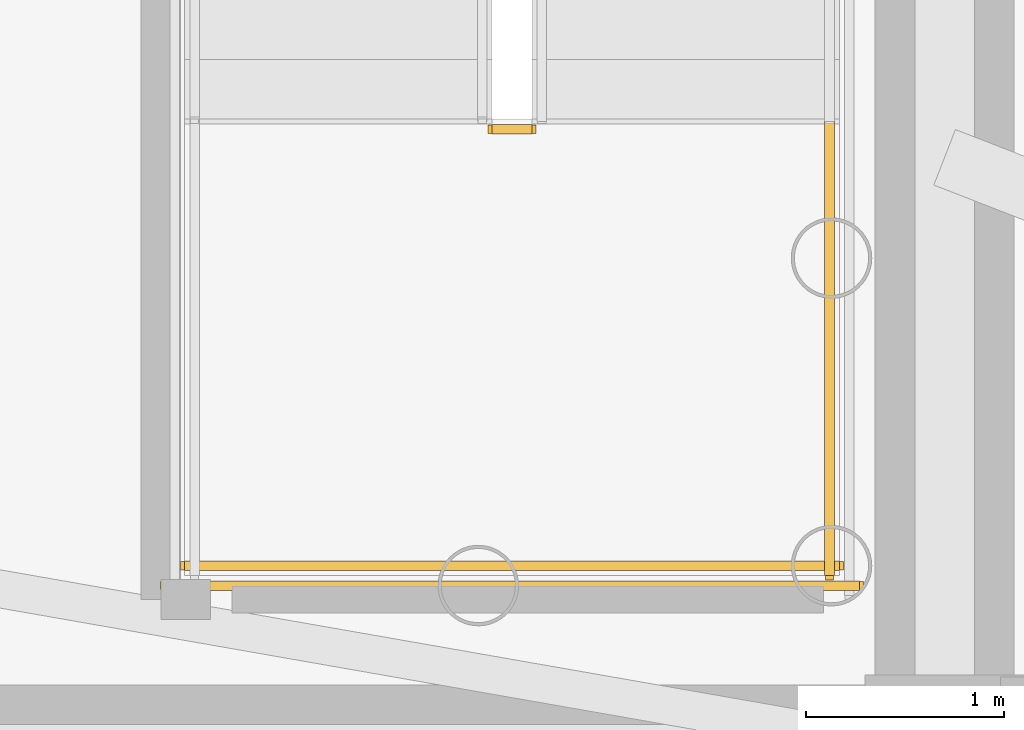
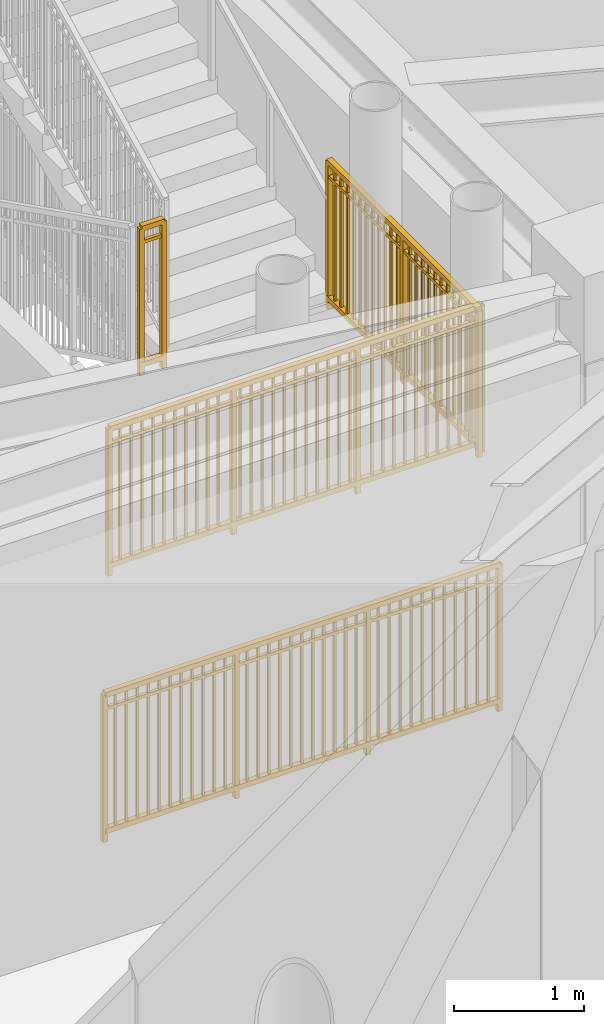
# One storey, part 9 of 12: 4 railings.
"""IFC4 building model written with IfcOpenShell, lengths in metres."""

from ifc_helpers import new_model, si_unit, direction, frame, origin, origin_2d, place, context, subcontext, project, spatial, rectangle, extrude, source, transform, mapped, material, type_object, element, save


model = new_model("IFC4")

# Units and contexts
model_context = context("Model", 3, precision=1e-05, world=origin(), true_north=direction((0.0, 1.0)))
body_context = subcontext(model_context, "Body", "Model", "MODEL_VIEW")
ifc_project = project(units=[si_unit("LENGTHUNIT", "METRE"), si_unit("AREAUNIT", "SQUARE_METRE"), si_unit("VOLUMEUNIT", "CUBIC_METRE"), si_unit("PLANEANGLEUNIT", "RADIAN"), si_unit("MASSUNIT", "GRAM", prefix="KILO")], contexts=[model_context])

# Site, building, storey
site_placement = place(None, origin())
site = spatial("IfcSite", under=ifc_project, at=site_placement, CompositionType="ELEMENT")
building_placement = place(site_placement, origin())
building = spatial("IfcBuilding", under=site, at=building_placement, Name="Linh Dai School and Residence Tower", CompositionType="ELEMENT")
storey_placement = place(building_placement, frame((0.0, 0.0, 368.39990234375)))
storey = spatial("IfcBuildingStorey", under=building, at=storey_placement, Name="L91", CompositionType="ELEMENT", Elevation=368.39990234375)

# Railings
ifc_material = material(Name="Structural Steel S355JR", Category="steel")
railing_type = type_object("IfcRailingType", Name="RL-ST-GUARD-1400", PredefinedType="GUARDRAIL", material=ifc_material)
shared_shape_1 = source(origin(), body_context, "Body", "SweptSolid", [
    extrude(rectangle(XDim=0.048095703125, YDim=0.048095703125, at=origin_2d()), frame((0.0, 0.0, 1.3759765625), z_axis=(1.0, 0.0, 0.0), x_axis=(0.0, 1.0, 0.0)), (0.0, 0.0, 1.0), 0.199951171875),
    extrude(rectangle(XDim=0.048095703125, YDim=0.048095703125, at=origin_2d()), frame((0.0, 0.0, 0.10009765625), z_axis=(1.0, 0.0, 0.0), x_axis=(0.0, 1.0, 0.0)), (0.0, 0.0, 1.0), 0.199951171875),
    extrude(rectangle(XDim=0.030029296875, YDim=0.030029296875, at=origin_2d()), frame((0.0, 0.0, 1.239990234375), z_axis=(1.0, 0.0, 0.0), x_axis=(0.0, 1.0, 0.0)), (0.0, 0.0, 1.0), 0.199951171875),
    extrude(rectangle(XDim=0.0419921875, YDim=0.0419921875, at=origin_2d()), origin(), (0.0, 0.0, 1.0), 1.3759765625),
    extrude(rectangle(XDim=0.0419921875, YDim=0.0419921875, at=origin_2d()), frame((0.199951171875, 0.0, 0.0)), (0.0, 0.0, 1.0), 1.3759765625),
])
railing_1_placement = place(storey_placement, frame((42.570068359375, 23.699951171875, 2.400146484375)))
element("IfcRailing", 1, at=railing_1_placement, inside=storey, type_object=railing_type, Name="L91 ST2 stair guard 2", PredefinedType="GUARDRAIL", context=body_context, shape_type="MappedRepresentation", body=[
    mapped(shared_shape_1, transform((0.0, 0.0, 0.0), x_axis=(1.0, 0.0, 0.0), y_axis=(0.0, 1.0, 0.0), z_axis=(0.0, 0.0, 1.0), scale=1.0)),
])
shared_shape_2 = source(origin(), body_context, "Body", "SweptSolid", [
    extrude(rectangle(XDim=0.048095703125, YDim=0.048095703125, at=origin_2d()), frame((0.0, 0.0, 1.3759765625), z_axis=(1.0, 0.0, 0.0), x_axis=(0.0, 1.0, 0.0)), (0.0, 0.0, 1.0), 3.300048828125),
    extrude(rectangle(XDim=0.048095703125, YDim=0.048095703125, at=origin_2d()), frame((0.0, 0.0, 0.10009765625), z_axis=(1.0, 0.0, 0.0), x_axis=(0.0, 1.0, 0.0)), (0.0, 0.0, 1.0), 3.300048828125),
    extrude(rectangle(XDim=0.030029296875, YDim=0.030029296875, at=origin_2d()), frame((0.0, 0.0, 1.239990234375), z_axis=(1.0, 0.0, 0.0), x_axis=(0.0, 1.0, 0.0)), (0.0, 0.0, 1.0), 3.300048828125),
    extrude(rectangle(XDim=0.02001953125, YDim=0.02001953125, at=origin_2d()), frame((0.09716796875, 0.0, 0.10009765625)), (0.0, 0.0, 1.0), 1.251708984375),
    extrude(rectangle(XDim=0.02001953125, YDim=0.02001953125, at=origin_2d()), frame((0.194091796875, 0.0, 0.10009765625)), (0.0, 0.0, 1.0), 1.251708984375),
    extrude(rectangle(XDim=0.02001953125, YDim=0.02001953125, at=origin_2d()), frame((0.291259765625, 0.0, 0.10009765625)), (0.0, 0.0, 1.0), 1.251708984375),
    extrude(rectangle(XDim=0.02001953125, YDim=0.02001953125, at=origin_2d()), frame((0.38818359375, 0.0, 0.10009765625)), (0.0, 0.0, 1.0), 1.251708984375),
    extrude(rectangle(XDim=0.02001953125, YDim=0.02001953125, at=origin_2d()), frame((0.4853515625, 0.0, 0.10009765625)), (0.0, 0.0, 1.0), 1.251708984375),
    extrude(rectangle(XDim=0.02001953125, YDim=0.02001953125, at=origin_2d()), frame((0.582275390625, 0.0, 0.10009765625)), (0.0, 0.0, 1.0), 1.251708984375),
    extrude(rectangle(XDim=0.02001953125, YDim=0.02001953125, at=origin_2d()), frame((0.679443359375, 0.0, 0.10009765625)), (0.0, 0.0, 1.0), 1.251708984375),
    extrude(rectangle(XDim=0.02001953125, YDim=0.02001953125, at=origin_2d()), frame((0.7763671875, 0.0, 0.10009765625)), (0.0, 0.0, 1.0), 1.251708984375),
    extrude(rectangle(XDim=0.02001953125, YDim=0.02001953125, at=origin_2d()), frame((0.87353515625, 0.0, 0.10009765625)), (0.0, 0.0, 1.0), 1.251708984375),
    extrude(rectangle(XDim=0.02001953125, YDim=0.02001953125, at=origin_2d()), frame((0.970703125, 0.0, 0.10009765625)), (0.0, 0.0, 1.0), 1.251708984375),
    extrude(rectangle(XDim=0.02001953125, YDim=0.02001953125, at=origin_2d()), frame((1.164794921875, 0.0, 0.10009765625)), (0.0, 0.0, 1.0), 1.251708984375),
    extrude(rectangle(XDim=0.02001953125, YDim=0.02001953125, at=origin_2d()), frame((1.26171875, 0.0, 0.10009765625)), (0.0, 0.0, 1.0), 1.251708984375),
    extrude(rectangle(XDim=0.02001953125, YDim=0.02001953125, at=origin_2d()), frame((1.35888671875, 0.0, 0.10009765625)), (0.0, 0.0, 1.0), 1.251708984375),
    extrude(rectangle(XDim=0.02001953125, YDim=0.02001953125, at=origin_2d()), frame((1.455810546875, 0.0, 0.10009765625)), (0.0, 0.0, 1.0), 1.251708984375),
    extrude(rectangle(XDim=0.02001953125, YDim=0.02001953125, at=origin_2d()), frame((1.552978515625, 0.0, 0.10009765625)), (0.0, 0.0, 1.0), 1.251708984375),
    extrude(rectangle(XDim=0.02001953125, YDim=0.02001953125, at=origin_2d()), frame((1.64990234375, 0.0, 0.10009765625)), (0.0, 0.0, 1.0), 1.251708984375),
    extrude(rectangle(XDim=0.02001953125, YDim=0.02001953125, at=origin_2d()), frame((1.7470703125, 0.0, 0.10009765625)), (0.0, 0.0, 1.0), 1.251708984375),
    extrude(rectangle(XDim=0.02001953125, YDim=0.02001953125, at=origin_2d()), frame((1.84423828125, 0.0, 0.10009765625)), (0.0, 0.0, 1.0), 1.251708984375),
    extrude(rectangle(XDim=0.02001953125, YDim=0.02001953125, at=origin_2d()), frame((1.941162109375, 0.0, 0.10009765625)), (0.0, 0.0, 1.0), 1.251708984375),
    extrude(rectangle(XDim=0.02001953125, YDim=0.02001953125, at=origin_2d()), frame((2.038330078125, 0.0, 0.10009765625)), (0.0, 0.0, 1.0), 1.251708984375),
    extrude(rectangle(XDim=0.02001953125, YDim=0.02001953125, at=origin_2d()), frame((2.13525390625, 0.0, 0.10009765625)), (0.0, 0.0, 1.0), 1.251708984375),
    extrude(rectangle(XDim=0.02001953125, YDim=0.02001953125, at=origin_2d()), frame((2.329345703125, 0.0, 0.10009765625)), (0.0, 0.0, 1.0), 1.251708984375),
    extrude(rectangle(XDim=0.02001953125, YDim=0.02001953125, at=origin_2d()), frame((2.426513671875, 0.0, 0.10009765625)), (0.0, 0.0, 1.0), 1.251708984375),
    extrude(rectangle(XDim=0.02001953125, YDim=0.02001953125, at=origin_2d()), frame((2.523681640625, 0.0, 0.10009765625)), (0.0, 0.0, 1.0), 1.251708984375),
    extrude(rectangle(XDim=0.02001953125, YDim=0.02001953125, at=origin_2d()), frame((2.62060546875, 0.0, 0.10009765625)), (0.0, 0.0, 1.0), 1.251708984375),
    extrude(rectangle(XDim=0.02001953125, YDim=0.02001953125, at=origin_2d()), frame((2.7177734375, 0.0, 0.10009765625)), (0.0, 0.0, 1.0), 1.251708984375),
    extrude(rectangle(XDim=0.02001953125, YDim=0.02001953125, at=origin_2d()), frame((2.814697265625, 0.0, 0.10009765625)), (0.0, 0.0, 1.0), 1.251708984375),
    extrude(rectangle(XDim=0.02001953125, YDim=0.02001953125, at=origin_2d()), frame((2.911865234375, 0.0, 0.10009765625)), (0.0, 0.0, 1.0), 1.251708984375),
    extrude(rectangle(XDim=0.02001953125, YDim=0.02001953125, at=origin_2d()), frame((3.0087890625, 0.0, 0.10009765625)), (0.0, 0.0, 1.0), 1.251708984375),
    extrude(rectangle(XDim=0.02001953125, YDim=0.02001953125, at=origin_2d()), frame((3.10595703125, 0.0, 0.10009765625)), (0.0, 0.0, 1.0), 1.251708984375),
    extrude(rectangle(XDim=0.02001953125, YDim=0.02001953125, at=origin_2d()), frame((3.202880859375, 0.0, 0.10009765625)), (0.0, 0.0, 1.0), 1.251708984375),
    extrude(rectangle(XDim=0.0419921875, YDim=0.0419921875, at=origin_2d()), origin(), (0.0, 0.0, 1.0), 1.3759765625),
    extrude(rectangle(XDim=0.0419921875, YDim=0.0419921875, at=origin_2d()), frame((1.10009765625, 0.0, 0.0)), (0.0, 0.0, 1.0), 1.3759765625),
    extrude(rectangle(XDim=0.0419921875, YDim=0.0419921875, at=origin_2d()), frame((2.199951171875, 0.0, 0.0)), (0.0, 0.0, 1.0), 1.3759765625),
    extrude(rectangle(XDim=0.0419921875, YDim=0.0419921875, at=origin_2d()), frame((3.300048828125, 0.0, 0.0)), (0.0, 0.0, 1.0), 1.3759765625),
])
railing_2_placement = place(storey_placement, frame((41.02001953125, 21.5, 2.400146484375)))
element("IfcRailing", 2, at=railing_2_placement, inside=storey, type_object=railing_type, Name="L91 ST2 stair guard 5", PredefinedType="GUARDRAIL", context=body_context, shape_type="MappedRepresentation", body=[
    mapped(shared_shape_2, transform((0.0, 0.0, 0.0), x_axis=(1.0, 0.0, 0.0), y_axis=(0.0, 1.0, 0.0), z_axis=(0.0, 0.0, 1.0), scale=1.0)),
])
shared_shape_3 = source(origin(), body_context, "Body", "SweptSolid", [
    extrude(rectangle(XDim=0.048095703125, YDim=0.048095703125, at=origin_2d()), frame((0.0, 0.0, 1.3759765625), z_axis=(1.0, 0.0, 0.0), x_axis=(0.0, 1.0, 0.0)), (0.0, 0.0, 1.0), 3.5),
    extrude(rectangle(XDim=0.048095703125, YDim=0.048095703125, at=origin_2d()), frame((0.0, 0.0, 0.10009765625), z_axis=(1.0, 0.0, 0.0), x_axis=(0.0, 1.0, 0.0)), (0.0, 0.0, 1.0), 3.5),
    extrude(rectangle(XDim=0.030029296875, YDim=0.030029296875, at=origin_2d()), frame((0.0, 0.0, 1.239990234375), z_axis=(1.0, 0.0, 0.0), x_axis=(0.0, 1.0, 0.0)), (0.0, 0.0, 1.0), 3.5),
    extrude(rectangle(XDim=0.02001953125, YDim=0.02001953125, at=origin_2d()), frame((0.09716796875, 0.0, 0.10009765625)), (0.0, 0.0, 1.0), 1.251708984375),
    extrude(rectangle(XDim=0.02001953125, YDim=0.02001953125, at=origin_2d()), frame((0.1943359375, 0.0, 0.10009765625)), (0.0, 0.0, 1.0), 1.251708984375),
    extrude(rectangle(XDim=0.02001953125, YDim=0.02001953125, at=origin_2d()), frame((0.291748046875, 0.0, 0.10009765625)), (0.0, 0.0, 1.0), 1.251708984375),
    extrude(rectangle(XDim=0.02001953125, YDim=0.02001953125, at=origin_2d()), frame((0.388916015625, 0.0, 0.10009765625)), (0.0, 0.0, 1.0), 1.251708984375),
    extrude(rectangle(XDim=0.02001953125, YDim=0.02001953125, at=origin_2d()), frame((0.486083984375, 0.0, 0.10009765625)), (0.0, 0.0, 1.0), 1.251708984375),
    extrude(rectangle(XDim=0.02001953125, YDim=0.02001953125, at=origin_2d()), frame((0.583251953125, 0.0, 0.10009765625)), (0.0, 0.0, 1.0), 1.251708984375),
    extrude(rectangle(XDim=0.02001953125, YDim=0.02001953125, at=origin_2d()), frame((0.6806640625, 0.0, 0.10009765625)), (0.0, 0.0, 1.0), 1.251708984375),
    extrude(rectangle(XDim=0.02001953125, YDim=0.02001953125, at=origin_2d()), frame((0.77783203125, 0.0, 0.10009765625)), (0.0, 0.0, 1.0), 1.251708984375),
    extrude(rectangle(XDim=0.02001953125, YDim=0.02001953125, at=origin_2d()), frame((0.875, 0.0, 0.10009765625)), (0.0, 0.0, 1.0), 1.251708984375),
    extrude(rectangle(XDim=0.02001953125, YDim=0.02001953125, at=origin_2d()), frame((0.97216796875, 0.0, 0.10009765625)), (0.0, 0.0, 1.0), 1.251708984375),
    extrude(rectangle(XDim=0.02001953125, YDim=0.02001953125, at=origin_2d()), frame((1.0693359375, 0.0, 0.10009765625)), (0.0, 0.0, 1.0), 1.251708984375),
    extrude(rectangle(XDim=0.02001953125, YDim=0.02001953125, at=origin_2d()), frame((1.263916015625, 0.0, 0.10009765625)), (0.0, 0.0, 1.0), 1.251708984375),
    extrude(rectangle(XDim=0.02001953125, YDim=0.02001953125, at=origin_2d()), frame((1.361083984375, 0.0, 0.10009765625)), (0.0, 0.0, 1.0), 1.251708984375),
    extrude(rectangle(XDim=0.02001953125, YDim=0.02001953125, at=origin_2d()), frame((1.458251953125, 0.0, 0.10009765625)), (0.0, 0.0, 1.0), 1.251708984375),
    extrude(rectangle(XDim=0.02001953125, YDim=0.02001953125, at=origin_2d()), frame((1.5556640625, 0.0, 0.10009765625)), (0.0, 0.0, 1.0), 1.251708984375),
    extrude(rectangle(XDim=0.02001953125, YDim=0.02001953125, at=origin_2d()), frame((1.65283203125, 0.0, 0.10009765625)), (0.0, 0.0, 1.0), 1.251708984375),
    extrude(rectangle(XDim=0.02001953125, YDim=0.02001953125, at=origin_2d()), frame((1.75, 0.0, 0.10009765625)), (0.0, 0.0, 1.0), 1.251708984375),
    extrude(rectangle(XDim=0.02001953125, YDim=0.02001953125, at=origin_2d()), frame((1.84716796875, 0.0, 0.10009765625)), (0.0, 0.0, 1.0), 1.251708984375),
    extrude(rectangle(XDim=0.02001953125, YDim=0.02001953125, at=origin_2d()), frame((1.9443359375, 0.0, 0.10009765625)), (0.0, 0.0, 1.0), 1.251708984375),
    extrude(rectangle(XDim=0.02001953125, YDim=0.02001953125, at=origin_2d()), frame((2.041748046875, 0.0, 0.10009765625)), (0.0, 0.0, 1.0), 1.251708984375),
    extrude(rectangle(XDim=0.02001953125, YDim=0.02001953125, at=origin_2d()), frame((2.138916015625, 0.0, 0.10009765625)), (0.0, 0.0, 1.0), 1.251708984375),
    extrude(rectangle(XDim=0.02001953125, YDim=0.02001953125, at=origin_2d()), frame((2.236083984375, 0.0, 0.10009765625)), (0.0, 0.0, 1.0), 1.251708984375),
    extrude(rectangle(XDim=0.02001953125, YDim=0.02001953125, at=origin_2d()), frame((2.4306640625, 0.0, 0.10009765625)), (0.0, 0.0, 1.0), 1.251708984375),
    extrude(rectangle(XDim=0.02001953125, YDim=0.02001953125, at=origin_2d()), frame((2.52783203125, 0.0, 0.10009765625)), (0.0, 0.0, 1.0), 1.251708984375),
    extrude(rectangle(XDim=0.02001953125, YDim=0.02001953125, at=origin_2d()), frame((2.625, 0.0, 0.10009765625)), (0.0, 0.0, 1.0), 1.251708984375),
    extrude(rectangle(XDim=0.02001953125, YDim=0.02001953125, at=origin_2d()), frame((2.72216796875, 0.0, 0.10009765625)), (0.0, 0.0, 1.0), 1.251708984375),
    extrude(rectangle(XDim=0.02001953125, YDim=0.02001953125, at=origin_2d()), frame((2.8193359375, 0.0, 0.10009765625)), (0.0, 0.0, 1.0), 1.251708984375),
    extrude(rectangle(XDim=0.02001953125, YDim=0.02001953125, at=origin_2d()), frame((2.916748046875, 0.0, 0.10009765625)), (0.0, 0.0, 1.0), 1.251708984375),
    extrude(rectangle(XDim=0.02001953125, YDim=0.02001953125, at=origin_2d()), frame((3.013916015625, 0.0, 0.10009765625)), (0.0, 0.0, 1.0), 1.251708984375),
    extrude(rectangle(XDim=0.02001953125, YDim=0.02001953125, at=origin_2d()), frame((3.111083984375, 0.0, 0.10009765625)), (0.0, 0.0, 1.0), 1.251708984375),
    extrude(rectangle(XDim=0.02001953125, YDim=0.02001953125, at=origin_2d()), frame((3.208251953125, 0.0, 0.10009765625)), (0.0, 0.0, 1.0), 1.251708984375),
    extrude(rectangle(XDim=0.02001953125, YDim=0.02001953125, at=origin_2d()), frame((3.3056640625, 0.0, 0.10009765625)), (0.0, 0.0, 1.0), 1.251708984375),
    extrude(rectangle(XDim=0.02001953125, YDim=0.02001953125, at=origin_2d()), frame((3.40283203125, 0.0, 0.10009765625)), (0.0, 0.0, 1.0), 1.251708984375),
    extrude(rectangle(XDim=0.0419921875, YDim=0.0419921875, at=origin_2d()), origin(), (0.0, 0.0, 1.0), 1.3759765625),
    extrude(rectangle(XDim=0.0419921875, YDim=0.0419921875, at=origin_2d()), frame((1.166748046875, 0.0, 0.0)), (0.0, 0.0, 1.0), 1.3759765625),
    extrude(rectangle(XDim=0.0419921875, YDim=0.0419921875, at=origin_2d()), frame((2.333251953125, 0.0, 0.0)), (0.0, 0.0, 1.0), 1.3759765625),
    extrude(rectangle(XDim=0.0419921875, YDim=0.0419921875, at=origin_2d()), frame((3.5, 0.0, 0.0)), (0.0, 0.0, 1.0), 1.3759765625),
])
railing_3_placement = place(storey_placement, frame((40.919921875, 21.39990234375, 0.0)))
element("IfcRailing", 3, at=railing_3_placement, inside=storey, type_object=railing_type, Name="L91 ST2 stair guard 12", PredefinedType="GUARDRAIL", context=body_context, shape_type="MappedRepresentation", body=[
    mapped(shared_shape_3, transform((0.0, 0.0, 0.0), x_axis=(1.0, 0.0, 0.0), y_axis=(0.0, 1.0, 0.0), z_axis=(0.0, 0.0, 1.0), scale=1.0)),
])
shared_shape_4 = source(origin(), body_context, "Body", "SweptSolid", [
    extrude(rectangle(XDim=0.048095703125, YDim=0.048095703125, at=origin_2d()), frame((0.0, 0.0, 1.3759765625), z_axis=(0.0, -1.0, 0.0), x_axis=(1.0, 0.0, 0.0)), (0.0, 0.0, 1.0), 2.300048828125),
    extrude(rectangle(XDim=0.048095703125, YDim=0.048095703125, at=origin_2d()), frame((0.0, 0.0, 0.10009765625), z_axis=(0.0, -1.0, 0.0), x_axis=(1.0, 0.0, 0.0)), (0.0, 0.0, 1.0), 2.300048828125),
    extrude(rectangle(XDim=0.030029296875, YDim=0.030029296875, at=origin_2d()), frame((0.0, 0.0, 1.239990234375), z_axis=(0.0, -1.0, 0.0), x_axis=(1.0, 0.0, 0.0)), (0.0, 0.0, 1.0), 2.300048828125),
    extrude(rectangle(XDim=0.02001953125, YDim=0.02001953125, at=origin_2d()), frame((0.0, -0.095947265625, 0.10009765625)), (0.0, 0.0, 1.0), 1.251708984375),
    extrude(rectangle(XDim=0.02001953125, YDim=0.02001953125, at=origin_2d()), frame((0.0, -0.191650390625, 0.10009765625)), (0.0, 0.0, 1.0), 1.251708984375),
    extrude(rectangle(XDim=0.02001953125, YDim=0.02001953125, at=origin_2d()), frame((0.0, -0.28759765625, 0.10009765625)), (0.0, 0.0, 1.0), 1.251708984375),
    extrude(rectangle(XDim=0.02001953125, YDim=0.02001953125, at=origin_2d()), frame((0.0, -0.38330078125, 0.10009765625)), (0.0, 0.0, 1.0), 1.251708984375),
    extrude(rectangle(XDim=0.02001953125, YDim=0.02001953125, at=origin_2d()), frame((0.0, -0.479248046875, 0.10009765625)), (0.0, 0.0, 1.0), 1.251708984375),
    extrude(rectangle(XDim=0.02001953125, YDim=0.02001953125, at=origin_2d()), frame((0.0, -0.574951171875, 0.10009765625)), (0.0, 0.0, 1.0), 1.251708984375),
    extrude(rectangle(XDim=0.02001953125, YDim=0.02001953125, at=origin_2d()), frame((0.0, -0.6708984375, 0.10009765625)), (0.0, 0.0, 1.0), 1.251708984375),
    extrude(rectangle(XDim=0.02001953125, YDim=0.02001953125, at=origin_2d()), frame((0.0, -0.7666015625, 0.10009765625)), (0.0, 0.0, 1.0), 1.251708984375),
    extrude(rectangle(XDim=0.02001953125, YDim=0.02001953125, at=origin_2d()), frame((0.0, -0.862548828125, 0.10009765625)), (0.0, 0.0, 1.0), 1.251708984375),
    extrude(rectangle(XDim=0.02001953125, YDim=0.02001953125, at=origin_2d()), frame((0.0, -0.958251953125, 0.10009765625)), (0.0, 0.0, 1.0), 1.251708984375),
    extrude(rectangle(XDim=0.02001953125, YDim=0.02001953125, at=origin_2d()), frame((0.0, -1.05419921875, 0.10009765625)), (0.0, 0.0, 1.0), 1.251708984375),
    extrude(rectangle(XDim=0.02001953125, YDim=0.02001953125, at=origin_2d()), frame((0.0, -1.245849609375, 0.10009765625)), (0.0, 0.0, 1.0), 1.251708984375),
    extrude(rectangle(XDim=0.02001953125, YDim=0.02001953125, at=origin_2d()), frame((0.0, -1.341796875, 0.10009765625)), (0.0, 0.0, 1.0), 1.251708984375),
    extrude(rectangle(XDim=0.02001953125, YDim=0.02001953125, at=origin_2d()), frame((0.0, -1.4375, 0.10009765625)), (0.0, 0.0, 1.0), 1.251708984375),
    extrude(rectangle(XDim=0.02001953125, YDim=0.02001953125, at=origin_2d()), frame((0.0, -1.533447265625, 0.10009765625)), (0.0, 0.0, 1.0), 1.251708984375),
    extrude(rectangle(XDim=0.02001953125, YDim=0.02001953125, at=origin_2d()), frame((0.0, -1.629150390625, 0.10009765625)), (0.0, 0.0, 1.0), 1.251708984375),
    extrude(rectangle(XDim=0.02001953125, YDim=0.02001953125, at=origin_2d()), frame((0.0, -1.72509765625, 0.10009765625)), (0.0, 0.0, 1.0), 1.251708984375),
    extrude(rectangle(XDim=0.02001953125, YDim=0.02001953125, at=origin_2d()), frame((0.0, -1.82080078125, 0.10009765625)), (0.0, 0.0, 1.0), 1.251708984375),
    extrude(rectangle(XDim=0.02001953125, YDim=0.02001953125, at=origin_2d()), frame((0.0, -1.916748046875, 0.10009765625)), (0.0, 0.0, 1.0), 1.251708984375),
    extrude(rectangle(XDim=0.02001953125, YDim=0.02001953125, at=origin_2d()), frame((0.0, -2.012451171875, 0.10009765625)), (0.0, 0.0, 1.0), 1.251708984375),
    extrude(rectangle(XDim=0.02001953125, YDim=0.02001953125, at=origin_2d()), frame((0.0, -2.1083984375, 0.10009765625)), (0.0, 0.0, 1.0), 1.251708984375),
    extrude(rectangle(XDim=0.02001953125, YDim=0.02001953125, at=origin_2d()), frame((0.0, -2.2041015625, 0.10009765625)), (0.0, 0.0, 1.0), 1.251708984375),
    extrude(rectangle(XDim=0.0419921875, YDim=0.0419921875, at=origin_2d()), origin(), (0.0, 0.0, 1.0), 1.3759765625),
    extrude(rectangle(XDim=0.0419921875, YDim=0.0419921875, at=origin_2d()), frame((0.0, -1.14990234375, 0.0)), (0.0, 0.0, 1.0), 1.3759765625),
    extrude(rectangle(XDim=0.0419921875, YDim=0.0419921875, at=origin_2d()), frame((0.0, -2.300048828125, 0.0)), (0.0, 0.0, 1.0), 1.3759765625),
])
railing_4_placement = place(storey_placement, frame((44.27001953125, 23.75, 2.400146484375)))
element("IfcRailing", 4, at=railing_4_placement, inside=storey, type_object=railing_type, Name="L91 ST2 stair guard 4", PredefinedType="GUARDRAIL", context=body_context, shape_type="MappedRepresentation", body=[
    mapped(shared_shape_4, transform((0.0, 0.0, 0.0), x_axis=(1.0, 0.0, 0.0), y_axis=(0.0, 1.0, 0.0), z_axis=(0.0, 0.0, 1.0), scale=1.0)),
])

save(model, "model.ifc")
